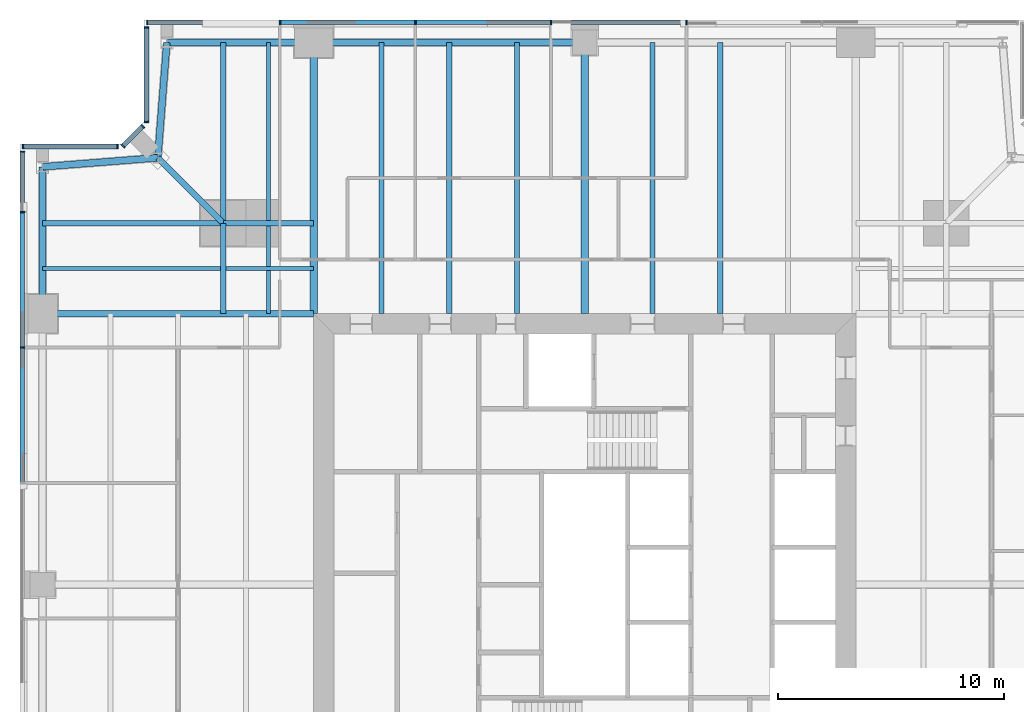
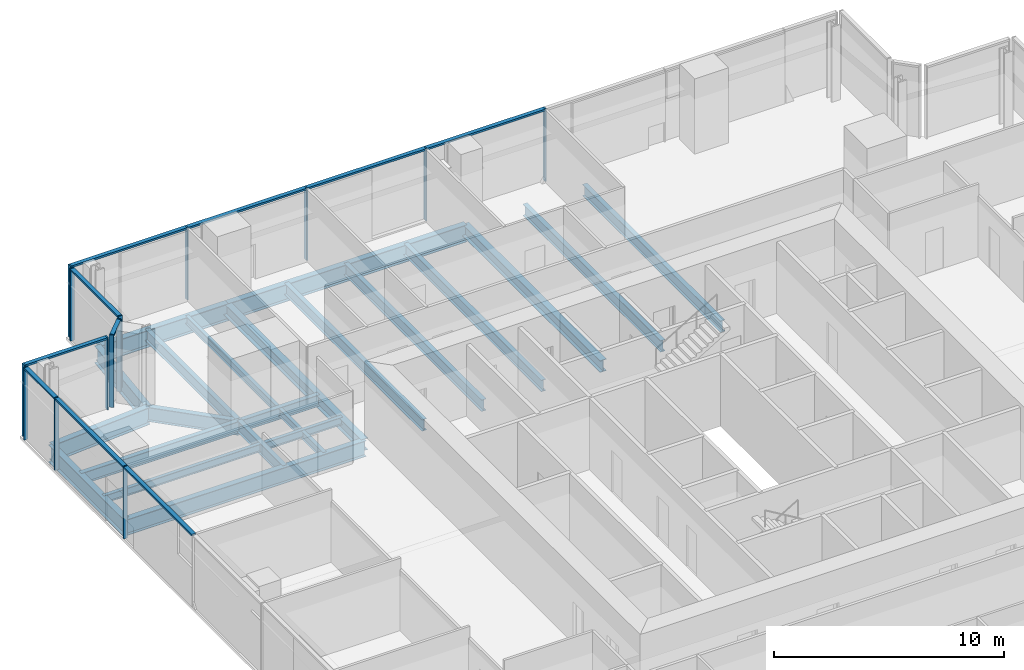
# One storey, part 6 of 14: 24 members, 23 beams, 5 elements without a shape of their own.
"""IFC4 building model written with IfcOpenShell, lengths in metres."""

from ifc_helpers import new_model, si_unit, direction, frame, origin, origin_2d, place, context, subcontext, project, spatial, rectangle, i_section, extrude, material, material_profile, profile_set, type_object, element, aggregate, save


model = new_model("IFC4")

# Units and contexts
model_context = context("Model", 3, precision=1e-05, world=origin(), true_north=direction((0.0, 1.0)))
body_context = subcontext(model_context, "Body", "Model", "MODEL_VIEW")
ifc_project = project(units=[si_unit("LENGTHUNIT", "METRE"), si_unit("AREAUNIT", "SQUARE_METRE"), si_unit("VOLUMEUNIT", "CUBIC_METRE"), si_unit("PLANEANGLEUNIT", "RADIAN"), si_unit("MASSUNIT", "GRAM", prefix="KILO")], contexts=[model_context])

# Site, building, storey
site_placement = place(None, origin())
site = spatial("IfcSite", under=ifc_project, at=site_placement, CompositionType="ELEMENT")
building_placement = place(site_placement, origin())
building = spatial("IfcBuilding", under=site, at=building_placement, Name="Fenwick Lantern Interchange", CompositionType="ELEMENT")
storey_placement = place(building_placement, frame((0.0, 0.0, 225.800048828125)))
storey = spatial("IfcBuildingStorey", under=building, at=storey_placement, Name="L53", CompositionType="ELEMENT", Elevation=225.800048828125)

# Beams
ifc_material_1 = material(Name="Steel ASTM A992 Grade 50", Category="steel")
ifc_material_profile_1 = material_profile(ifc_material_1, i_section(OverallWidth=0.3046875, OverallDepth=0.911865234375, WebThickness=0.015869140625, FlangeThickness=0.02392578125, at=origin_2d()), Name="W36X150")
ifc_profile_set_1 = profile_set([ifc_material_profile_1], Name="Steel ASTM A992 Grade 50")
beam_type_1 = type_object("IfcBeamType", Name="EDGE BEAM W36X150", PredefinedType="SPANDREL", material=ifc_profile_set_1)
beam_1_placement = place(storey_placement, frame((25.0, 49.0, -0.60595703125), z_axis=(-1.0, 0.0, 0.0), x_axis=(0.0, -1.0, 0.0)))
element("IfcBeam", 1, at=beam_1_placement, inside=storey, type_object=beam_type_1, Name="L53/FR/N/EB3", PredefinedType="SPANDREL", context=body_context, shape_type="SweptSolid", body=[
    extrude(i_section(OverallWidth=0.3046875, OverallDepth=0.911865234375, WebThickness=0.015869140625, FlangeThickness=0.02392578125, at=origin_2d()), origin(), (0.0, 0.0, 1.0), 12.0),
])
beam_2_placement = place(storey_placement, frame((13.0, 49.0, -0.60595703125), z_axis=(-1.0, 0.0, 0.0), x_axis=(0.0, -1.0, 0.0)))
element("IfcBeam", 2, at=beam_2_placement, inside=storey, type_object=beam_type_1, Name="L53/FR/N/EB4", PredefinedType="SPANDREL", context=body_context, shape_type="SweptSolid", body=[
    extrude(i_section(OverallWidth=0.3046875, OverallDepth=0.911865234375, WebThickness=0.015869140625, FlangeThickness=0.02392578125, at=origin_2d()), origin(), (0.0, 0.0, 1.0), 6.5),
])
for number, where, z_axis, x_axis, name in (
    (3, (6.5, 49.0, -0.60595703125), (-0.078170784639, -0.99693998236, 0.0), (0.99693998236, -0.078170784639, 0.0), "L53/FR/N/EBR1"),
    (4, (6.10009765625, 43.89990234375, -0.60595703125), (-0.99693998236, -0.078170784639, 0.0), (0.078170784639, -0.99693998236, 0.0), "L53/FR/N/EBR2"),
):
    element("IfcBeam", number, at=place(storey_placement, frame(where, z_axis=z_axis, x_axis=x_axis)), inside=storey, type_object=beam_type_1, Name=name, PredefinedType="SPANDREL", context=body_context, shape_type="SweptSolid", body=[
        extrude(i_section(OverallWidth=0.3046875, OverallDepth=0.911865234375, WebThickness=0.015869140625, FlangeThickness=0.02392578125, at=origin_2d()), origin(), (0.0, 0.0, 1.0), 5.11572265625),
    ])
beam_3_placement = place(storey_placement, frame((1.0, 43.5, -0.60595703125), z_axis=(0.0, -1.0, 0.0), x_axis=(1.0, 0.0, 0.0)))
element("IfcBeam", 5, at=beam_3_placement, inside=storey, type_object=beam_type_1, Name="L53/FR/W/EB1", PredefinedType="SPANDREL", context=body_context, shape_type="SweptSolid", body=[
    extrude(i_section(OverallWidth=0.3046875, OverallDepth=0.911865234375, WebThickness=0.015869140625, FlangeThickness=0.02392578125, at=origin_2d()), origin(), (0.0, 0.0, 1.0), 6.5),
])
ifc_material_profile_2 = material_profile(ifc_material_1, i_section(OverallWidth=0.22900390625, OverallDepth=0.612060546875, WebThickness=0.011962890625, FlangeThickness=0.01953125, at=origin_2d()), Name="W24X84")
ifc_profile_set_2 = profile_set([ifc_material_profile_2], Name="Steel ASTM A992 Grade 50")
beam_type_2 = type_object("IfcBeamType", Name="FLOOR BEAM W24X84", PredefinedType="BEAM", material=ifc_profile_set_2)
for number, where, z_axis, x_axis, name in (
    (6, (31.0, 49.0, -0.4560546875), (0.0, -1.0, 0.0), (1.0, 0.0, 0.0), "L53/FR/N/R03"),
    (7, (28.0, 49.0, -0.4560546875), (0.0, -1.0, 0.0), (1.0, 0.0, 0.0), "L53/FR/N/R04"),
    (8, (22.0, 49.0, -0.4560546875), (0.0, -1.0, 0.0), (1.0, 0.0, 0.0), "L53/FR/N/R06"),
    (9, (19.0, 49.0, -0.4560546875), (0.0, -1.0, 0.0), (1.0, 0.0, 0.0), "L53/FR/N/R07"),
    (10, (16.0, 49.0, -0.4560546875), (0.0, -1.0, 0.0), (1.0, 0.0, 0.0), "L53/FR/N/R08"),
):
    element("IfcBeam", number, at=place(storey_placement, frame(where, z_axis=z_axis, x_axis=x_axis)), inside=storey, type_object=beam_type_2, Name=name, PredefinedType="BEAM", context=body_context, shape_type="SweptSolid", body=[
        extrude(i_section(OverallWidth=0.22900390625, OverallDepth=0.612060546875, WebThickness=0.011962890625, FlangeThickness=0.01953125, at=origin_2d()), origin(), (0.0, 0.0, 1.0), 12.0),
    ])
ifc_material_profile_3 = material_profile(ifc_material_1, i_section(OverallWidth=0.177734375, OverallDepth=0.406494140625, WebThickness=0.0078125, FlangeThickness=0.012939453125, at=origin_2d()), Name="W16X40")
ifc_profile_set_3 = profile_set([ifc_material_profile_3], Name="Steel ASTM A992 Grade 50")
beam_type_3 = type_object("IfcBeamType", Name="INFILL BEAM W16X40", PredefinedType="JOIST", material=ifc_profile_set_3)
beam_4_placement = place(storey_placement, frame((1.0, 39.0, -0.353271484375), z_axis=(1.0, 0.0, 0.0), x_axis=(0.0, 1.0, 0.0)))
element("IfcBeam", 11, at=beam_4_placement, inside=storey, type_object=beam_type_3, Name="L53/FR/W/J1", PredefinedType="JOIST", context=body_context, shape_type="SweptSolid", body=[
    extrude(i_section(OverallWidth=0.177734375, OverallDepth=0.406494140625, WebThickness=0.0078125, FlangeThickness=0.012939453125, at=origin_2d()), origin(), (0.0, 0.0, 1.0), 7.885498046875),
])
beam_5_placement = place(storey_placement, frame((9.114501953125, 39.0, -0.353271484375), z_axis=(1.0, 0.0, 0.0), x_axis=(0.0, 1.0, 0.0)))
element("IfcBeam", 12, at=beam_5_placement, inside=storey, type_object=beam_type_3, Name="L53/FR/W/J2", PredefinedType="JOIST", context=body_context, shape_type="SweptSolid", body=[
    extrude(i_section(OverallWidth=0.177734375, OverallDepth=0.406494140625, WebThickness=0.0078125, FlangeThickness=0.012939453125, at=origin_2d()), origin(), (0.0, 0.0, 1.0), 3.885498046875),
])
beam_6_placement = place(storey_placement, frame((11.0, 49.0, -0.353271484375), z_axis=(0.0, -1.0, 0.0), x_axis=(1.0, 0.0, 0.0)))
element("IfcBeam", 13, at=beam_6_placement, inside=storey, type_object=beam_type_3, Name="L53/FR/W/J3", PredefinedType="JOIST", context=body_context, shape_type="SweptSolid", body=[
    extrude(i_section(OverallWidth=0.177734375, OverallDepth=0.406494140625, WebThickness=0.0078125, FlangeThickness=0.012939453125, at=origin_2d()), origin(), (0.0, 0.0, 1.0), 7.885498046875),
])
beam_7_placement = place(storey_placement, frame((11.0, 40.885498046875, -0.353271484375), z_axis=(0.0, -1.0, 0.0), x_axis=(1.0, 0.0, 0.0)))
element("IfcBeam", 14, at=beam_7_placement, inside=storey, type_object=beam_type_3, Name="L53/FR/W/J4", PredefinedType="JOIST", context=body_context, shape_type="SweptSolid", body=[
    extrude(i_section(OverallWidth=0.177734375, OverallDepth=0.406494140625, WebThickness=0.0078125, FlangeThickness=0.012939453125, at=origin_2d()), origin(), (0.0, 0.0, 1.0), 1.796630859375),
])
beam_8_placement = place(storey_placement, frame((11.0, 38.9111328125, -0.353271484375), z_axis=(0.0, -1.0, 0.0), x_axis=(1.0, 0.0, 0.0)))
element("IfcBeam", 15, at=beam_8_placement, inside=storey, type_object=beam_type_3, Name="L53/FR/W/J5", PredefinedType="JOIST", context=body_context, shape_type="SweptSolid", body=[
    extrude(i_section(OverallWidth=0.177734375, OverallDepth=0.406494140625, WebThickness=0.0078125, FlangeThickness=0.012939453125, at=origin_2d()), origin(), (0.0, 0.0, 1.0), 1.9111328125),
])
ifc_material_profile_4 = material_profile(ifc_material_1, i_section(OverallWidth=0.22900390625, OverallDepth=0.612060546875, WebThickness=0.011962890625, FlangeThickness=0.01953125, at=origin_2d()), Name="W24X84")
ifc_profile_set_4 = profile_set([ifc_material_profile_4], Name="Steel ASTM A992 Grade 50")
beam_type_4 = type_object("IfcBeamType", Name="MEGA COLUMN BEAM W24X84", PredefinedType="BEAM", material=ifc_profile_set_4)
for number, where, z_axis, x_axis, name in (
    (16, (9.0, 41.0, -0.4560546875), (-1.0, 0.0, 0.0), (0.0, -1.0, 0.0), "L53/FR/W/MB1"),
    (17, (9.0, 41.0, -0.4560546875), (0.0, 1.0, 0.0), (-1.0, 0.0, 0.0), "L53/FR/W/MB2"),
):
    element("IfcBeam", number, at=place(storey_placement, frame(where, z_axis=z_axis, x_axis=x_axis)), inside=storey, type_object=beam_type_4, Name=name, PredefinedType="BEAM", context=body_context, shape_type="SweptSolid", body=[
        extrude(i_section(OverallWidth=0.22900390625, OverallDepth=0.612060546875, WebThickness=0.011962890625, FlangeThickness=0.01953125, at=origin_2d()), origin(), (0.0, 0.0, 1.0), 8.0),
    ])
for number, where, z_axis, x_axis, name in (
    (18, (9.0, 41.0, -0.4560546875), (0.0, -1.0, 0.0), (1.0, 0.0, 0.0), "L53/FR/W/MB3"),
    (19, (9.0, 41.0, -0.4560546875), (1.0, 0.0, 0.0), (0.0, 1.0, 0.0), "L53/FR/W/MB4"),
):
    element("IfcBeam", number, at=place(storey_placement, frame(where, z_axis=z_axis, x_axis=x_axis)), inside=storey, type_object=beam_type_4, Name=name, PredefinedType="BEAM", context=body_context, shape_type="SweptSolid", body=[
        extrude(i_section(OverallWidth=0.22900390625, OverallDepth=0.612060546875, WebThickness=0.011962890625, FlangeThickness=0.01953125, at=origin_2d()), origin(), (0.0, 0.0, 1.0), 4.0),
    ])
ifc_material_profile_5 = material_profile(ifc_material_1, i_section(OverallWidth=0.32763671875, OverallDepth=0.622314453125, WebThickness=0.015380859375, FlangeThickness=0.0244140625, at=origin_2d()), Name="W24X131")
ifc_profile_set_5 = profile_set([ifc_material_profile_5], Name="Steel ASTM A992 Grade 50")
beam_type_5 = type_object("IfcBeamType", Name="MOMENT-CONNECTED GIRDER W24X131", PredefinedType="BEAM", material=ifc_profile_set_5)
for number, where, z_axis, x_axis, name in (
    (20, (25.0, 49.0, -0.461181640625), (0.0, -1.0, 0.0), (1.0, 0.0, 0.0), "L53/FR/N/R05"),
    (21, (13.0, 49.0, -0.461181640625), (0.0, -1.0, 0.0), (1.0, 0.0, 0.0), "L53/FR/N/R09"),
):
    element("IfcBeam", number, at=place(storey_placement, frame(where, z_axis=z_axis, x_axis=x_axis)), inside=storey, type_object=beam_type_5, Name=name, PredefinedType="BEAM", context=body_context, shape_type="SweptSolid", body=[
        extrude(i_section(OverallWidth=0.32763671875, OverallDepth=0.622314453125, WebThickness=0.015380859375, FlangeThickness=0.0244140625, at=origin_2d()), origin(), (0.0, 0.0, 1.0), 12.0),
    ])
ifc_material_profile_6 = material_profile(ifc_material_1, i_section(OverallWidth=0.2919921875, OverallDepth=0.845703125, WebThickness=0.015380859375, FlangeThickness=0.0244140625, at=origin_2d()), Name="W33X141")
ifc_profile_set_6 = profile_set([ifc_material_profile_6], Name="Steel ASTM A992 Grade 50")
beam_type_6 = type_object("IfcBeamType", Name="MOMENT-CONNECTED GIRDER W33X141", PredefinedType="BEAM", material=ifc_profile_set_6)
beam_9_placement = place(storey_placement, frame((1.0, 37.0, -0.572998046875), z_axis=(1.0, 0.0, 0.0), x_axis=(0.0, 1.0, 0.0)))
element("IfcBeam", 22, at=beam_9_placement, inside=storey, type_object=beam_type_6, Name="L53/FR/W/R01", PredefinedType="BEAM", context=body_context, shape_type="SweptSolid", body=[
    extrude(i_section(OverallWidth=0.2919921875, OverallDepth=0.845703125, WebThickness=0.015380859375, FlangeThickness=0.0244140625, at=origin_2d()), origin(), (0.0, 0.0, 1.0), 12.0),
])
ifc_material_profile_7 = material_profile(ifc_material_1, i_section(OverallWidth=0.2666015625, OverallDepth=0.7568359375, WebThickness=0.013916015625, FlangeThickness=0.019287109375, at=origin_2d()), Name="W30X108")
ifc_profile_set_7 = profile_set([ifc_material_profile_7], Name="Steel ASTM A992 Grade 50")
beam_type_7 = type_object("IfcBeamType", Name="NOTCH BEAM W30X108", PredefinedType="BEAM", material=ifc_profile_set_7)
beam_10_placement = place(storey_placement, frame((9.0, 41.0, -0.528564453125), z_axis=(-0.707106781187, 0.707106781187, 0.0), x_axis=(-0.707106781187, -0.707106781187, 0.0)))
element("IfcBeam", 23, at=beam_10_placement, inside=storey, type_object=beam_type_7, Name="L53/FR/W/TG", PredefinedType="BEAM", context=body_context, shape_type="SweptSolid", body=[
    extrude(i_section(OverallWidth=0.2666015625, OverallDepth=0.7568359375, WebThickness=0.013916015625, FlangeThickness=0.019287109375, at=origin_2d()), origin(), (0.0, 0.0, 1.0), 4.10107421875),
])

# Curtain wall, members
ifc_material_2 = material(Name="Aluminium curtain wall frame", Category="aluminium")
curtain_wall_type = type_object("IfcCurtainWallType", Name="OFFICE CURTAIN WALL", PredefinedType="USERDEFINED", material=ifc_material_2)
curtain_wall_1_placement = place(storey_placement, origin())
curtain_wall_1 = element("IfcCurtainWall", 24, at=curtain_wall_1_placement, inside=storey, type_object=curtain_wall_type, Name="Office curtain wall 09", ObjectType="OFFICE CURTAIN WALL", PredefinedType="USERDEFINED")
ifc_material_3 = material(Name="Aluminium extrusion", Category="aluminium")
ifc_material_profile_8 = material_profile(ifc_material_3, rectangle(XDim=0.199951171875, YDim=0.06494140625, at=origin_2d()), Name="OFFICE CURTAIN WALL MULLION 65 X 200")
ifc_profile_set_8 = profile_set([ifc_material_profile_8], Name="Aluminium extrusion")
member_type_1 = type_object("IfcMemberType", Name="OFFICE CURTAIN WALL MULLION 65 X 200", PredefinedType="MULLION", material=ifc_profile_set_8)
member_1_placement = place(storey_placement, frame((29.5, 49.89990234375, 0.0), z_axis=(0.0, 0.0, 1.0), x_axis=(0.0, -1.0, 0.0)))
member_1 = element("IfcMember", 25, at=member_1_placement, type_object=member_type_1, Name="L53/CW/09/M03", PredefinedType="MULLION", context=body_context, shape_type="SweptSolid", body=[
    extrude(rectangle(XDim=0.199951171875, YDim=0.06494140625, at=origin_2d()), origin(), (0.0, 0.0, 1.0), 3.849853515625),
])
member_2_placement = place(storey_placement, frame((23.5, 49.89990234375, 0.0), z_axis=(0.0, 0.0, 1.0), x_axis=(0.0, -1.0, 0.0)))
member_2 = element("IfcMember", 26, at=member_2_placement, type_object=member_type_1, Name="L53/CW/09/M04", PredefinedType="MULLION", context=body_context, shape_type="SweptSolid", body=[
    extrude(rectangle(XDim=0.199951171875, YDim=0.06494140625, at=origin_2d()), origin(), (0.0, 0.0, 1.0), 3.849853515625),
])
member_3_placement = place(storey_placement, frame((17.5, 49.89990234375, 0.0), z_axis=(0.0, 0.0, 1.0), x_axis=(0.0, -1.0, 0.0)))
member_3 = element("IfcMember", 27, at=member_3_placement, type_object=member_type_1, Name="L53/CW/09/M05", PredefinedType="MULLION", context=body_context, shape_type="SweptSolid", body=[
    extrude(rectangle(XDim=0.199951171875, YDim=0.06494140625, at=origin_2d()), origin(), (0.0, 0.0, 1.0), 3.849853515625),
])
member_4_placement = place(storey_placement, frame((11.5, 49.89990234375, 0.0), z_axis=(0.0, 0.0, 1.0), x_axis=(0.0, -1.0, 0.0)))
member_4 = element("IfcMember", 28, at=member_4_placement, type_object=member_type_1, Name="L53/CW/09/M06", PredefinedType="MULLION", context=body_context, shape_type="SweptSolid", body=[
    extrude(rectangle(XDim=0.199951171875, YDim=0.06494140625, at=origin_2d()), origin(), (0.0, 0.0, 1.0), 3.849853515625),
])
member_5_placement = place(storey_placement, frame((5.632568359375, 49.89990234375, 0.0), z_axis=(0.0, 0.0, 1.0), x_axis=(0.0, -1.0, 0.0)))
member_5 = element("IfcMember", 29, at=member_5_placement, type_object=member_type_1, Name="L53/CW/09/M07", PredefinedType="MULLION", context=body_context, shape_type="SweptSolid", body=[
    extrude(rectangle(XDim=0.199951171875, YDim=0.06494140625, at=origin_2d()), origin(), (0.0, 0.0, 1.0), 3.849853515625),
])

curtain_wall_2_placement = place(storey_placement, origin())
curtain_wall_2 = element("IfcCurtainWall", 30, at=curtain_wall_2_placement, inside=storey, type_object=curtain_wall_type, Name="Office curtain wall 10", ObjectType="OFFICE CURTAIN WALL", PredefinedType="USERDEFINED")
member_6_placement = place(storey_placement, frame((5.60009765625, 49.66748046875, 0.0), z_axis=(0.0, 0.0, 1.0), x_axis=(1.0, 0.0, 0.0)))
member_6 = element("IfcMember", 31, at=member_6_placement, type_object=member_type_1, Name="L53/CW/10/M00", PredefinedType="MULLION", context=body_context, shape_type="SweptSolid", body=[
    extrude(rectangle(XDim=0.199951171875, YDim=0.06494140625, at=origin_2d()), origin(), (0.0, 0.0, 1.0), 3.849853515625),
])
member_7_placement = place(storey_placement, frame((5.60009765625, 45.490966796875, 0.0), z_axis=(0.0, 0.0, 1.0), x_axis=(1.0, 0.0, 0.0)))
member_7 = element("IfcMember", 32, at=member_7_placement, type_object=member_type_1, Name="L53/CW/10/M01", PredefinedType="MULLION", context=body_context, shape_type="SweptSolid", body=[
    extrude(rectangle(XDim=0.199951171875, YDim=0.06494140625, at=origin_2d()), origin(), (0.0, 0.0, 1.0), 3.849853515625),
])

curtain_wall_3_placement = place(storey_placement, origin())
curtain_wall_3 = element("IfcCurtainWall", 33, at=curtain_wall_3_placement, inside=storey, type_object=curtain_wall_type, Name="Office curtain wall 11", ObjectType="OFFICE CURTAIN WALL", PredefinedType="USERDEFINED")
member_8_placement = place(storey_placement, frame((5.435546875, 45.294189453125, 0.0), z_axis=(0.0, 0.0, 1.0), x_axis=(0.707106781187, -0.707106781187, 0.0)))
member_8 = element("IfcMember", 34, at=member_8_placement, type_object=member_type_1, Name="L53/CW/11/M00", PredefinedType="MULLION", context=body_context, shape_type="SweptSolid", body=[
    extrude(rectangle(XDim=0.199951171875, YDim=0.06494140625, at=origin_2d()), origin(), (0.0, 0.0, 1.0), 3.849853515625),
])
member_9_placement = place(storey_placement, frame((4.564453125, 44.423095703125, 0.0), z_axis=(0.0, 0.0, 1.0), x_axis=(0.707106781187, -0.707106781187, 0.0)))
member_9 = element("IfcMember", 35, at=member_9_placement, type_object=member_type_1, Name="L53/CW/11/M01", PredefinedType="MULLION", context=body_context, shape_type="SweptSolid", body=[
    extrude(rectangle(XDim=0.199951171875, YDim=0.06494140625, at=origin_2d()), origin(), (0.0, 0.0, 1.0), 3.849853515625),
])

curtain_wall_4_placement = place(storey_placement, origin())
curtain_wall_4 = element("IfcCurtainWall", 36, at=curtain_wall_4_placement, inside=storey, type_object=curtain_wall_type, Name="Office curtain wall 12", ObjectType="OFFICE CURTAIN WALL", PredefinedType="USERDEFINED")
member_10_placement = place(storey_placement, frame((4.308837890625, 44.39990234375, 0.0), z_axis=(0.0, 0.0, 1.0), x_axis=(0.0, -1.0, 0.0)))
member_10 = element("IfcMember", 37, at=member_10_placement, type_object=member_type_1, Name="L53/CW/12/M00", PredefinedType="MULLION", context=body_context, shape_type="SweptSolid", body=[
    extrude(rectangle(XDim=0.199951171875, YDim=0.06494140625, at=origin_2d()), origin(), (0.0, 0.0, 1.0), 3.849853515625),
])
member_11_placement = place(storey_placement, frame((0.132568359375, 44.39990234375, 0.0), z_axis=(0.0, 0.0, 1.0), x_axis=(0.0, -1.0, 0.0)))
member_11 = element("IfcMember", 38, at=member_11_placement, type_object=member_type_1, Name="L53/CW/12/M01", PredefinedType="MULLION", context=body_context, shape_type="SweptSolid", body=[
    extrude(rectangle(XDim=0.199951171875, YDim=0.06494140625, at=origin_2d()), origin(), (0.0, 0.0, 1.0), 3.849853515625),
])

curtain_wall_5_placement = place(storey_placement, origin())
curtain_wall_5 = element("IfcCurtainWall", 39, at=curtain_wall_5_placement, inside=storey, type_object=curtain_wall_type, Name="Office curtain wall 13", ObjectType="OFFICE CURTAIN WALL", PredefinedType="USERDEFINED")
member_12_placement = place(storey_placement, frame((0.10009765625, 44.16748046875, 0.0), z_axis=(0.0, 0.0, 1.0), x_axis=(1.0, 0.0, 0.0)))
member_12 = element("IfcMember", 40, at=member_12_placement, type_object=member_type_1, Name="L53/CW/13/M00", PredefinedType="MULLION", context=body_context, shape_type="SweptSolid", body=[
    extrude(rectangle(XDim=0.199951171875, YDim=0.06494140625, at=origin_2d()), origin(), (0.0, 0.0, 1.0), 3.849853515625),
])
member_13_placement = place(storey_placement, frame((0.10009765625, 41.5, 0.0), z_axis=(0.0, 0.0, 1.0), x_axis=(1.0, 0.0, 0.0)))
member_13 = element("IfcMember", 41, at=member_13_placement, type_object=member_type_1, Name="L53/CW/13/M01", PredefinedType="MULLION", context=body_context, shape_type="SweptSolid", body=[
    extrude(rectangle(XDim=0.199951171875, YDim=0.06494140625, at=origin_2d()), origin(), (0.0, 0.0, 1.0), 3.849853515625),
])
member_14_placement = place(storey_placement, frame((0.10009765625, 35.5, 0.0), z_axis=(0.0, 0.0, 1.0), x_axis=(1.0, 0.0, 0.0)))
member_14 = element("IfcMember", 42, at=member_14_placement, type_object=member_type_1, Name="L53/CW/13/M02", PredefinedType="MULLION", context=body_context, shape_type="SweptSolid", body=[
    extrude(rectangle(XDim=0.199951171875, YDim=0.06494140625, at=origin_2d()), origin(), (0.0, 0.0, 1.0), 3.849853515625),
])

# Member
ifc_material_profile_9 = material_profile(ifc_material_3, rectangle(XDim=0.199951171875, YDim=0.10009765625, at=origin_2d()), Name="OFFICE CURTAIN WALL TRANSOM 100 X 200")
ifc_profile_set_9 = profile_set([ifc_material_profile_9], Name="Aluminium extrusion")
member_type_2 = type_object("IfcMemberType", Name="OFFICE CURTAIN WALL TRANSOM 100 X 200", PredefinedType="MULLION", material=ifc_profile_set_9)
member_15_placement = place(storey_placement, frame((29.467529296875, 49.89990234375, 3.800048828125), z_axis=(-1.0, 0.0, 0.0), x_axis=(0.0, -1.0, 0.0)))
member_15 = element("IfcMember", 43, at=member_15_placement, type_object=member_type_2, Name="L53/CW/09/T03", PredefinedType="MULLION", context=body_context, shape_type="SweptSolid", body=[
    extrude(rectangle(XDim=0.199951171875, YDim=0.10009765625, at=origin_2d()), origin(), (0.0, 0.0, 1.0), 5.93505859375),
])

member_16_placement = place(storey_placement, frame((23.467529296875, 49.89990234375, 3.800048828125), z_axis=(-1.0, 0.0, 0.0), x_axis=(0.0, -1.0, 0.0)))
member_16 = element("IfcMember", 44, at=member_16_placement, type_object=member_type_2, Name="L53/CW/09/T04", PredefinedType="MULLION", context=body_context, shape_type="SweptSolid", body=[
    extrude(rectangle(XDim=0.199951171875, YDim=0.10009765625, at=origin_2d()), origin(), (0.0, 0.0, 1.0), 5.93505859375),
])

member_17_placement = place(storey_placement, frame((17.467529296875, 49.89990234375, 3.800048828125), z_axis=(-1.0, 0.0, 0.0), x_axis=(0.0, -1.0, 0.0)))
member_17 = element("IfcMember", 45, at=member_17_placement, type_object=member_type_2, Name="L53/CW/09/T05", PredefinedType="MULLION", context=body_context, shape_type="SweptSolid", body=[
    extrude(rectangle(XDim=0.199951171875, YDim=0.10009765625, at=origin_2d()), origin(), (0.0, 0.0, 1.0), 5.93505859375),
])

member_18_placement = place(storey_placement, frame((11.467529296875, 49.89990234375, 3.800048828125), z_axis=(-1.0, 0.0, 0.0), x_axis=(0.0, -1.0, 0.0)))
member_18 = element("IfcMember", 46, at=member_18_placement, type_object=member_type_2, Name="L53/CW/09/T06", PredefinedType="MULLION", context=body_context, shape_type="SweptSolid", body=[
    extrude(rectangle(XDim=0.199951171875, YDim=0.10009765625, at=origin_2d()), origin(), (0.0, 0.0, 1.0), 5.802490234375),
])

aggregate(curtain_wall_1, [member_1, member_2, member_3, member_4, member_5, member_15, member_16, member_17, member_18])

member_19_placement = place(storey_placement, frame((5.60009765625, 49.635009765625, 3.800048828125), z_axis=(0.0, -1.0, 0.0), x_axis=(1.0, 0.0, 0.0)))
member_19 = element("IfcMember", 47, at=member_19_placement, type_object=member_type_2, Name="L53/CW/10/T00", PredefinedType="MULLION", context=body_context, shape_type="SweptSolid", body=[
    extrude(rectangle(XDim=0.199951171875, YDim=0.10009765625, at=origin_2d()), origin(), (0.0, 0.0, 1.0), 4.111328125),
])

aggregate(curtain_wall_2, [member_6, member_7, member_19])

member_20_placement = place(storey_placement, frame((5.41259765625, 45.271240234375, 3.800048828125), z_axis=(-0.707106781187, -0.707106781187, 0.0), x_axis=(0.707106781187, -0.707106781187, 0.0)))
member_20 = element("IfcMember", 48, at=member_20_placement, type_object=member_type_2, Name="L53/CW/11/T00", PredefinedType="MULLION", context=body_context, shape_type="SweptSolid", body=[
    extrude(rectangle(XDim=0.199951171875, YDim=0.10009765625, at=origin_2d()), origin(), (0.0, 0.0, 1.0), 1.1669921875),
])

aggregate(curtain_wall_3, [member_8, member_9, member_20])

member_21_placement = place(storey_placement, frame((4.2763671875, 44.39990234375, 3.800048828125), z_axis=(-1.0, 0.0, 0.0), x_axis=(0.0, -1.0, 0.0)))
member_21 = element("IfcMember", 49, at=member_21_placement, type_object=member_type_2, Name="L53/CW/12/T00", PredefinedType="MULLION", context=body_context, shape_type="SweptSolid", body=[
    extrude(rectangle(XDim=0.199951171875, YDim=0.10009765625, at=origin_2d()), origin(), (0.0, 0.0, 1.0), 4.111328125),
])

aggregate(curtain_wall_4, [member_10, member_11, member_21])

member_22_placement = place(storey_placement, frame((0.10009765625, 44.135009765625, 3.800048828125), z_axis=(0.0, -1.0, 0.0), x_axis=(1.0, 0.0, 0.0)))
member_22 = element("IfcMember", 50, at=member_22_placement, type_object=member_type_2, Name="L53/CW/13/T00", PredefinedType="MULLION", context=body_context, shape_type="SweptSolid", body=[
    extrude(rectangle(XDim=0.199951171875, YDim=0.10009765625, at=origin_2d()), origin(), (0.0, 0.0, 1.0), 2.6025390625),
])

member_23_placement = place(storey_placement, frame((0.10009765625, 41.467529296875, 3.800048828125), z_axis=(0.0, -1.0, 0.0), x_axis=(1.0, 0.0, 0.0)))
member_23 = element("IfcMember", 51, at=member_23_placement, type_object=member_type_2, Name="L53/CW/13/T01", PredefinedType="MULLION", context=body_context, shape_type="SweptSolid", body=[
    extrude(rectangle(XDim=0.199951171875, YDim=0.10009765625, at=origin_2d()), origin(), (0.0, 0.0, 1.0), 5.93505859375),
])

member_24_placement = place(storey_placement, frame((0.10009765625, 35.467529296875, 3.800048828125), z_axis=(0.0, -1.0, 0.0), x_axis=(1.0, 0.0, 0.0)))
member_24 = element("IfcMember", 52, at=member_24_placement, type_object=member_type_2, Name="L53/CW/13/T02", PredefinedType="MULLION", context=body_context, shape_type="SweptSolid", body=[
    extrude(rectangle(XDim=0.199951171875, YDim=0.10009765625, at=origin_2d()), origin(), (0.0, 0.0, 1.0), 5.93505859375),
])

aggregate(curtain_wall_5, [member_12, member_13, member_14, member_22, member_23, member_24])

save(model, "model.ifc")
